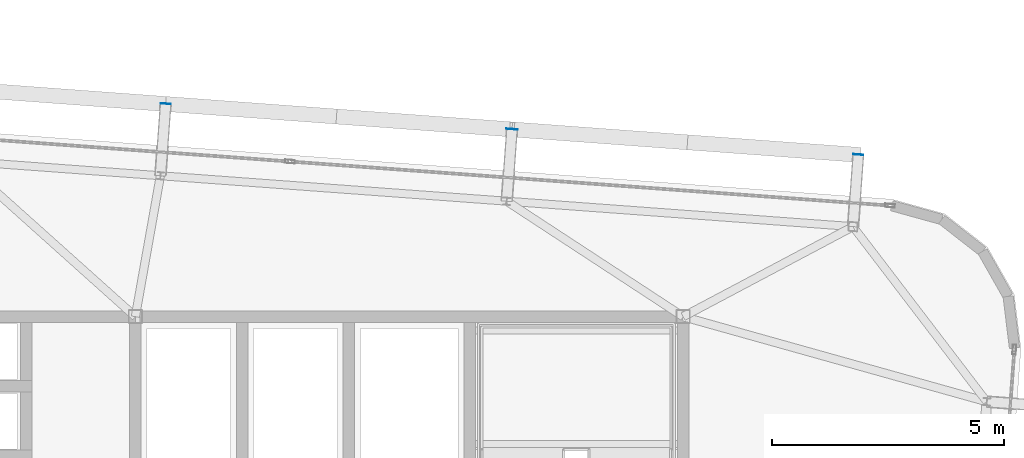
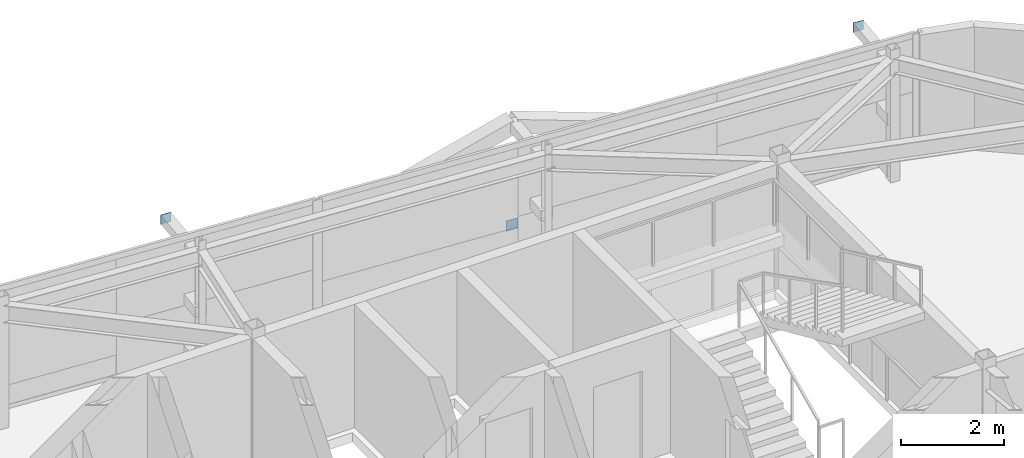
# One storey, part 30 of 34: 3 plates.
"""IFC4 building model written with IfcOpenShell, lengths in metres."""

from ifc_helpers import new_model, si_unit, direction, frame, origin, origin_2d, place, context, subcontext, project, spatial, rectangle, extrude, source, transform, mapped, material, layer, layer_set, type_object, element, save


model = new_model("IFC4")

# Units and contexts
model_context = context("Model", 3, precision=1e-05, world=origin(), true_north=direction((0.0, 1.0)))
body_context = subcontext(model_context, "Body", "Model", "MODEL_VIEW")
ifc_project = project(units=[si_unit("LENGTHUNIT", "METRE"), si_unit("AREAUNIT", "SQUARE_METRE"), si_unit("VOLUMEUNIT", "CUBIC_METRE"), si_unit("PLANEANGLEUNIT", "RADIAN"), si_unit("MASSUNIT", "GRAM", prefix="KILO")], contexts=[model_context])

# Site, building, storey
site_placement = place(None, origin())
site = spatial("IfcSite", under=ifc_project, at=site_placement, CompositionType="ELEMENT")
building_placement = place(site_placement, origin())
building = spatial("IfcBuilding", under=site, at=building_placement, Name="Taldren Reach Tower", CompositionType="ELEMENT")
storey_placement = place(building_placement, frame((0.0, 0.0, 246.050048828125)))
storey = spatial("IfcBuildingStorey", under=building, at=storey_placement, Name="L75", CompositionType="ELEMENT", Elevation=246.050048828125)

# Plates
ifc_material_1 = material(Name="Steel Gr 350 (C350L0)", Category="steel")
ifc_layer_1 = layer(ifc_material_1, 0.011962890625)
ifc_layer_set_1 = layer_set([ifc_layer_1], Name="Steel Gr 350 (C350L0)")
plate_type_1 = type_object("IfcPlateType", Name="PL-CAP-250", PredefinedType="SHEET", material=ifc_layer_set_1)
shared_shape_1 = source(origin(), body_context, "Body", "SweptSolid", [
    extrude(rectangle(XDim=0.25, YDim=0.011962890625, at=origin_2d()), origin(), (0.0, 0.0, 1.0), 0.25),
])
plate_placement = place(storey_placement, frame((47.3134765625, 36.039306640625, 0.094970703125), z_axis=(0.0, 0.0, 1.0), x_axis=(0.997314477224, -0.073238197128, 0.0)))
element("IfcPlate", 1, at=plate_placement, inside=storey, type_object=plate_type_1, Name="Tie strut end cap plate B5-N5 L75", PredefinedType="SHEET", context=body_context, shape_type="MappedRepresentation", body=[
    mapped(shared_shape_1, transform((0.0, 0.0, 0.0), scale=1.0)),
])
ifc_material_2 = material(Name="Steel Gr 450 (C450L0)", Category="steel")
ifc_layer_2 = layer(ifc_material_2, 0.011962890625)
ifc_layer_set_2 = layer_set([ifc_layer_2], Name="Steel Gr 450 (C450L0)")
plate_type_2 = type_object("IfcPlateType", Name="PL-CAP-220", PredefinedType="SHEET", material=ifc_layer_set_2)
shared_shape_2 = source(origin(), body_context, "Body", "SweptSolid", [
    extrude(rectangle(XDim=0.219970703125, YDim=0.011962890625, at=origin_2d()), origin(), (0.0, 0.0, 1.0), 0.219970703125),
])
for number, where, z_axis, x_axis, name in (
    (2, (39.853515625, 36.587158203125, 2.5400390625), (0.0, 0.0, 1.0), (0.997314477224, -0.073238197128, 0.0), "Tie strut end cap plate B5-N4 L75"),
    (3, (54.773193359375, 35.49169921875, 2.5400390625), (0.0, 0.0, 1.0), (0.997314477224, -0.073238197128, 0.0), "Tie strut end cap plate B5-N6 L75"),
):
    element("IfcPlate", number, at=place(storey_placement, frame(where, z_axis=z_axis, x_axis=x_axis)), inside=storey, type_object=plate_type_2, Name=name, PredefinedType="SHEET", context=body_context, shape_type="MappedRepresentation", body=[
        mapped(shared_shape_2, transform((0.0, 0.0, 0.0), scale=1.0)),
    ])

save(model, "model.ifc")
